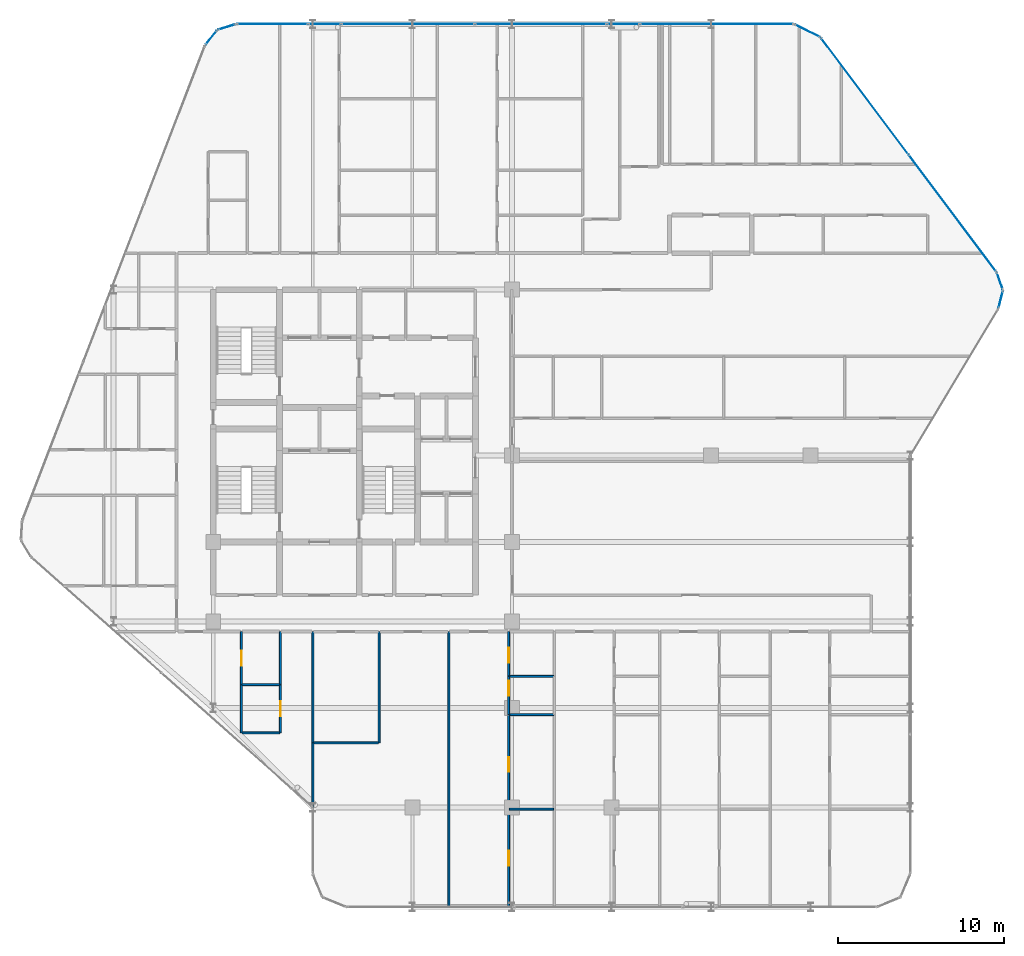
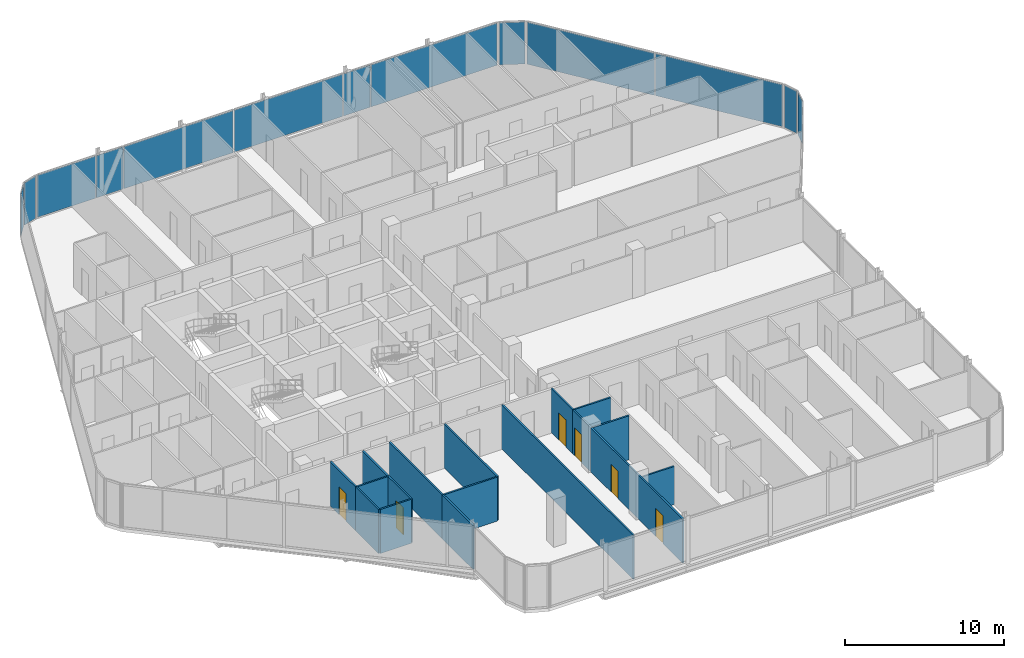
# One storey, part 24 of 32: 17 walls, 13 plates, 6 doors, 6 openings, 11 elements without a shape of their own.
"""IFC4 building model written with IfcOpenShell, lengths in metres."""

from ifc_helpers import new_model, si_unit, direction, frame, frame_2d, origin, origin_2d, place, context, subcontext, project, spatial, rectangle, extrude, material, layer, layer_set, type_object, element, fill, aggregate, save


model = new_model("IFC4")

# Units and contexts
model_context = context("Model", 3, precision=1e-05, world=origin(), true_north=direction((0.0, 1.0)))
body_context = subcontext(model_context, "Body", "Model", "MODEL_VIEW")
ifc_project = project(units=[si_unit("LENGTHUNIT", "METRE"), si_unit("AREAUNIT", "SQUARE_METRE"), si_unit("VOLUMEUNIT", "CUBIC_METRE"), si_unit("PLANEANGLEUNIT", "RADIAN"), si_unit("MASSUNIT", "GRAM", prefix="KILO")], contexts=[model_context])

# Site, building, storey
site_placement = place(None, origin())
site = spatial("IfcSite", under=ifc_project, at=site_placement, CompositionType="ELEMENT")
building_placement = place(site_placement, origin())
building = spatial("IfcBuilding", under=site, at=building_placement, Name="Keshet Zoharim Tower", CompositionType="ELEMENT")
storey_placement = place(building_placement, frame((0.0, 0.0, 152.0)))
storey = spatial("IfcBuildingStorey", under=building, at=storey_placement, Name="L37", CompositionType="ELEMENT", Elevation=152.0)

# Curtain wall, plate
ifc_material_1 = material(Name="Aluminium 6063-T6", Category="aluminium")
ifc_layer_1 = layer(ifc_material_1, 0.159912109375)
ifc_layer_set_1 = layer_set([ifc_layer_1], Name="Aluminium 6063-T6")
curtain_wall_type = type_object("IfcCurtainWallType", Name="CW-SYS-03", PredefinedType="NOTDEFINED", material=ifc_layer_set_1)
curtain_wall_1_placement = place(storey_placement, origin())
curtain_wall_1 = element("IfcCurtainWall", 1, at=curtain_wall_1_placement, inside=storey, type_object=curtain_wall_type, Name="L37 Unitised Curtain Wall 11", PredefinedType="NOTDEFINED")
ifc_material_2 = material(Name="Insulated Low-E Clear Glass", Category="glass")
ifc_layer_2 = layer(ifc_material_2, 0.035888671875)
ifc_layer_set_2 = layer_set([ifc_layer_2], Name="Insulated Low-E Clear Glass")
plate_type_1 = type_object("IfcPlateType", Name="CWP-01", PredefinedType="CURTAIN_PANEL", material=ifc_layer_set_2)
plate_1_placement = place(storey_placement, frame((14.8740234375, 53.08349609375, 0.06982421875), z_axis=(0.0, 0.0, 1.0), x_axis=(0.619124525989, 0.785292825205, 0.0)))
plate_1 = element("IfcPlate", 2, at=plate_1_placement, type_object=plate_type_1, Name="CW-03 panel 1.1", PredefinedType="CURTAIN_PANEL", context=body_context, shape_type="SweptSolid", body=[
    extrude(rectangle(XDim=1.045654296875, YDim=0.035888671875, at=origin_2d()), origin(), (0.0, 0.0, 1.0), 3.2451171875),
])
aggregate(curtain_wall_1, [plate_1])

curtain_wall_2_placement = place(storey_placement, origin())
curtain_wall_2 = element("IfcCurtainWall", 3, at=curtain_wall_2_placement, inside=storey, type_object=curtain_wall_type, Name="L37 Unitised Curtain Wall 12", PredefinedType="NOTDEFINED")
plate_2_placement = place(storey_placement, frame((15.8076171875, 53.724609375, 0.06982421875), z_axis=(0.0, 0.0, 1.0), x_axis=(0.955212151288, 0.295921857984, 0.0)))
plate_2 = element("IfcPlate", 4, at=plate_2_placement, type_object=plate_type_1, Name="CW-03 panel 1.1", PredefinedType="CURTAIN_PANEL", context=body_context, shape_type="SweptSolid", body=[
    extrude(rectangle(XDim=1.046142578125, YDim=0.035888671875, at=origin_2d()), origin(), (0.0, 0.0, 1.0), 3.2451171875),
])
aggregate(curtain_wall_2, [plate_2])

curtain_wall_3_placement = place(storey_placement, origin())
curtain_wall_3 = element("IfcCurtainWall", 5, at=curtain_wall_3_placement, inside=storey, type_object=curtain_wall_type, Name="L37 Unitised Curtain Wall 13", PredefinedType="NOTDEFINED")
ifc_layer_3 = layer(ifc_material_2, 0.031982421875)
ifc_layer_set_3 = layer_set([ifc_layer_3], Name="Insulated Low-E Clear Glass")
plate_type_2 = type_object("IfcPlateType", Name="CWP-02", PredefinedType="CURTAIN_PANEL", material=ifc_layer_set_3)
plate_3_placement = place(storey_placement, frame((18.56298828125, 53.89990234375, 0.06982421875), z_axis=(0.0, 0.0, 1.0), x_axis=(1.0, 0.0, 0.0)))
plate_3 = element("IfcPlate", 6, at=plate_3_placement, type_object=plate_type_2, Name="CW-03 panel 1.1", PredefinedType="CURTAIN_PANEL", context=body_context, shape_type="SweptSolid", body=[
    extrude(rectangle(XDim=4.23779296875, YDim=0.031982421875, at=origin_2d()), origin(), (0.0, 0.0, 1.0), 3.2451171875),
])
aggregate(curtain_wall_3, [plate_3])

# Curtain wall, plates
curtain_wall_4_placement = place(storey_placement, origin())
curtain_wall_4 = element("IfcCurtainWall", 7, at=curtain_wall_4_placement, inside=storey, type_object=curtain_wall_type, Name="L37 Unitised Curtain Wall 13 Part 3", PredefinedType="NOTDEFINED")
plate_4_placement = place(storey_placement, frame((26.7314453125, 53.89990234375, 0.06982421875), z_axis=(0.0, 0.0, 1.0), x_axis=(1.0, 0.0, 0.0)))
plate_4 = element("IfcPlate", 8, at=plate_4_placement, type_object=plate_type_2, Name="CW-03 panel 1.1", PredefinedType="CURTAIN_PANEL", context=body_context, shape_type="SweptSolid", body=[
    extrude(rectangle(XDim=7.966796875, YDim=0.031982421875, at=origin_2d()), origin(), (0.0, 0.0, 1.0), 3.2451171875),
])
plate_5_placement = place(storey_placement, frame((34.7333984375, 53.89990234375, 0.06982421875), z_axis=(0.0, 0.0, 1.0), x_axis=(1.0, 0.0, 0.0)))
plate_5 = element("IfcPlate", 9, at=plate_5_placement, type_object=plate_type_2, Name="CW-03 panel 2.1", PredefinedType="CURTAIN_PANEL", context=body_context, shape_type="SweptSolid", body=[
    extrude(rectangle(XDim=7.89697265625, YDim=0.031982421875, at=origin_2d()), origin(), (0.0, 0.0, 1.0), 3.2451171875),
])
aggregate(curtain_wall_4, [plate_4, plate_5])

# Curtain wall, plate
curtain_wall_5_placement = place(storey_placement, origin())
curtain_wall_5 = element("IfcCurtainWall", 10, at=curtain_wall_5_placement, inside=storey, type_object=curtain_wall_type, Name="L37 Unitised Curtain Wall 13 Part 5", PredefinedType="NOTDEFINED")
plate_6_placement = place(storey_placement, frame((45.339111328125, 53.89990234375, 0.06982421875), z_axis=(0.0, 0.0, 1.0), x_axis=(1.0, 0.0, 0.0)))
plate_6 = element("IfcPlate", 11, at=plate_6_placement, type_object=plate_type_2, Name="CW-03 panel 1.1", PredefinedType="CURTAIN_PANEL", context=body_context, shape_type="SweptSolid", body=[
    extrude(rectangle(XDim=9.181884765625, YDim=0.031982421875, at=origin_2d()), origin(), (0.0, 0.0, 1.0), 3.2451171875),
])
aggregate(curtain_wall_5, [plate_6])

curtain_wall_6_placement = place(storey_placement, origin())
curtain_wall_6 = element("IfcCurtainWall", 12, at=curtain_wall_6_placement, inside=storey, type_object=curtain_wall_type, Name="L37 Unitised Curtain Wall 14", PredefinedType="NOTDEFINED")
plate_7_placement = place(storey_placement, frame((50.800048828125, 53.5, 0.06982421875), z_axis=(0.0, 0.0, 1.0), x_axis=(0.894427191001, -0.447213595499, 0.0)))
plate_7 = element("IfcPlate", 13, at=plate_7_placement, type_object=plate_type_2, Name="CW-03 panel 1.1", PredefinedType="CURTAIN_PANEL", context=body_context, shape_type="SweptSolid", body=[
    extrude(rectangle(XDim=1.64892578125, YDim=0.031982421875, at=origin_2d()), origin(), (0.0, 0.0, 1.0), 3.2451171875),
])
aggregate(curtain_wall_6, [plate_7])

# Curtain wall, plates
curtain_wall_7_placement = place(storey_placement, origin())
curtain_wall_7 = element("IfcCurtainWall", 14, at=curtain_wall_7_placement, inside=storey, type_object=curtain_wall_type, Name="L37 Unitised Curtain Wall 15", PredefinedType="NOTDEFINED")
plate_8_placement = place(storey_placement, frame((54.2587890625, 49.554931640625, 0.06982421875), z_axis=(0.0, 0.0, 1.0), x_axis=(0.600000000002, -0.799999999998, 0.0)))
plate_8 = element("IfcPlate", 15, at=plate_8_placement, type_object=plate_type_2, Name="CW-03 panel 1.1", PredefinedType="CURTAIN_PANEL", context=body_context, shape_type="SweptSolid", body=[
    extrude(rectangle(XDim=8.722412109375, YDim=0.031982421875, at=origin_2d()), origin(), (0.0, 0.0, 1.0), 3.2451171875),
])
plate_9_placement = place(storey_placement, frame((59.5341796875, 42.52099609375, 0.06982421875), z_axis=(0.0, 0.0, 1.0), x_axis=(0.600000000002, -0.799999999998, 0.0)))
plate_9 = element("IfcPlate", 16, at=plate_9_placement, type_object=plate_type_2, Name="CW-03 panel 2.1", PredefinedType="CURTAIN_PANEL", context=body_context, shape_type="SweptSolid", body=[
    extrude(rectangle(XDim=8.722412109375, YDim=0.031982421875, at=origin_2d()), origin(), (0.0, 0.0, 1.0), 3.2451171875),
])
aggregate(curtain_wall_7, [plate_8, plate_9])

# Curtain wall, plate
curtain_wall_8_placement = place(storey_placement, origin())
curtain_wall_8 = element("IfcCurtainWall", 17, at=curtain_wall_8_placement, inside=storey, type_object=curtain_wall_type, Name="L37 Unitised Curtain Wall 16", PredefinedType="NOTDEFINED")
plate_10_placement = place(storey_placement, frame((62.3916015625, 38.427490234375, 0.06982421875), z_axis=(0.0, 0.0, 1.0), x_axis=(0.340297354046, -0.940317877544, 0.0)))
plate_10 = element("IfcPlate", 18, at=plate_10_placement, type_object=plate_type_2, Name="CW-03 panel 1.1", PredefinedType="CURTAIN_PANEL", context=body_context, shape_type="SweptSolid", body=[
    extrude(rectangle(XDim=1.026611328125, YDim=0.031982421875, at=origin_2d()), origin(), (0.0, 0.0, 1.0), 3.2451171875),
])
aggregate(curtain_wall_8, [plate_10])

curtain_wall_9_placement = place(storey_placement, origin())
curtain_wall_9 = element("IfcCurtainWall", 19, at=curtain_wall_9_placement, inside=storey, type_object=curtain_wall_type, Name="L37 Unitised Curtain Wall 17", PredefinedType="NOTDEFINED")
plate_11_placement = place(storey_placement, frame((62.448974609375, 37.31298828125, 0.06982421875), z_axis=(0.0, 0.0, 1.0), x_axis=(-0.241728770141, -0.970343857447, 0.0)))
plate_11 = element("IfcPlate", 20, at=plate_11_placement, type_object=plate_type_2, Name="CW-03 panel 1.1", PredefinedType="CURTAIN_PANEL", context=body_context, shape_type="SweptSolid", body=[
    extrude(rectangle(XDim=1.026611328125, YDim=0.031982421875, at=origin_2d()), origin(), (0.0, 0.0, 1.0), 3.2451171875),
])
aggregate(curtain_wall_9, [plate_11])

curtain_wall_10_placement = place(storey_placement, origin())
curtain_wall_10 = element("IfcCurtainWall", 21, at=curtain_wall_10_placement, inside=storey, type_object=curtain_wall_type, Name="L37 Unitised Curtain Wall 13 Part 2", PredefinedType="NOTDEFINED")
ifc_material_3 = material(Name="Insulated Aluminium Spandrel Panel", Category="aluminium")
ifc_layer_4 = layer(ifc_material_3, 0.031982421875)
ifc_layer_set_4 = layer_set([ifc_layer_4], Name="Insulated Aluminium Spandrel Panel")
plate_type_3 = type_object("IfcPlateType", Name="CWP-05", PredefinedType="CURTAIN_PANEL", material=ifc_layer_set_4)
plate_12_placement = place(storey_placement, frame((21.715087890625, 53.89990234375, 0.06982421875), z_axis=(0.0, 0.0, 1.0), x_axis=(1.0, 0.0, 0.0)))
plate_12 = element("IfcPlate", 22, at=plate_12_placement, type_object=plate_type_3, Name="CW-03 spandrel panel 1.1", PredefinedType="CURTAIN_PANEL", context=body_context, shape_type="SweptSolid", body=[
    extrude(rectangle(XDim=1.92626953125, YDim=0.031982421875, at=origin_2d()), origin(), (0.0, 0.0, 1.0), 3.2451171875),
])
aggregate(curtain_wall_10, [plate_12])

curtain_wall_11_placement = place(storey_placement, origin())
curtain_wall_11 = element("IfcCurtainWall", 23, at=curtain_wall_11_placement, inside=storey, type_object=curtain_wall_type, Name="L37 Unitised Curtain Wall 13 Part 4", PredefinedType="NOTDEFINED")
plate_13_placement = place(storey_placement, frame((39.715087890625, 53.89990234375, 0.06982421875), z_axis=(0.0, 0.0, 1.0), x_axis=(1.0, 0.0, 0.0)))
plate_13 = element("IfcPlate", 24, at=plate_13_placement, type_object=plate_type_3, Name="CW-03 spandrel panel 1.1", PredefinedType="CURTAIN_PANEL", context=body_context, shape_type="SweptSolid", body=[
    extrude(rectangle(XDim=1.92626953125, YDim=0.031982421875, at=origin_2d()), origin(), (0.0, 0.0, 1.0), 3.2451171875),
])
aggregate(curtain_wall_11, [plate_13])

# Wall, opening, door
ifc_material_4 = material(Name="Gypsum Plasterboard", Category="gypsum")
ifc_layer_5 = layer(ifc_material_4, 0.1201171875)
ifc_layer_set_5 = layer_set([ifc_layer_5], Name="Gypsum Plasterboard")
wall_type_1 = type_object("IfcWallType", Name="WL-PART-120", PredefinedType="PARTITIONING", material=ifc_layer_set_5)
wall_1_placement = place(storey_placement, frame((16.699951171875, 14.10009765625, 0.0), z_axis=(0.0, 0.0, 1.0), x_axis=(0.0, 1.0, 0.0)))
wall_1 = element("IfcWall", 25, at=wall_1_placement, inside=storey, type_object=wall_type_1, Name="L37 Interior Wall 020", PredefinedType="PARTITIONING", context=body_context, shape_type="SweptSolid", body=[
    extrude(rectangle(XDim=3.199951171875, YDim=0.1201171875, at=frame_2d((1.60009765625, 0.0))), origin(), (0.0, 0.0, 1.0), 3.385009765625),
])
opening_1_placement = place(wall_1_placement, frame((1.14990234375, 0.0, 0.0)))
opening_1 = element("IfcOpeningElement", 26, at=opening_1_placement, cuts=wall_1, Name="Opening D-IN90", PredefinedType="OPENING", context=body_context, shape_type="SweptSolid", body=[
    extrude(rectangle(XDim=0.89990234375, YDim=2.14990234375, at=frame_2d((0.449951171875, 1.074951171875))), frame((0.0, 0.070068359375, 0.0), z_axis=(0.0, -1.0, 0.0), x_axis=(1.0, 0.0, 0.0)), (0.0, 0.0, 1.0), 0.14013671875),
])
ifc_material_5 = material(Name="Hardwood Timber", Category="wood")
door_type_1 = type_object("IfcDoorType", Name="DR-INT-090", OperationType="NOTDEFINED", PredefinedType="DOOR", material=ifc_material_5)
door_1_placement = place(opening_1_placement, origin())
door_1 = element("IfcDoor", 27, at=door_1_placement, inside=storey, type_object=door_type_1, Name="Apartment 3701 Kitchenette Door", OperationType="SINGLE_SWING_LEFT", OverallHeight=2.14990234375, OverallWidth=0.89990234375, PredefinedType="DOOR", context=body_context, shape_type="SweptSolid", body=[
    extrude(rectangle(XDim=0.89990234375, YDim=2.14990234375, at=frame_2d((0.449951171875, 1.074951171875))), frame((0.0, 0.02490234375, 0.0), z_axis=(0.0, -1.0, 0.0), x_axis=(1.0, 0.0, 0.0)), (0.0, 0.0, 1.0), 0.050048828125),
])
fill(opening_1, door_1)

# Walls
wall_2_placement = place(storey_placement, frame((19.050048828125, 14.10009765625, 0.0), z_axis=(0.0, 0.0, 1.0), x_axis=(0.0, 1.0, 0.0)))
element("IfcWall", 28, at=wall_2_placement, inside=storey, type_object=wall_type_1, Name="L37 Interior Wall 030", PredefinedType="PARTITIONING", context=body_context, shape_type="SweptSolid", body=[
    extrude(rectangle(XDim=3.199951171875, YDim=0.1201171875, at=frame_2d((1.60009765625, 0.0))), origin(), (0.0, 0.0, 1.0), 3.385009765625),
])
wall_3_placement = place(storey_placement, frame((21.0, 6.7099609375, 0.0), z_axis=(0.0, 0.0, 1.0), x_axis=(0.0, 1.0, 0.0)))
element("IfcWall", 29, at=wall_3_placement, inside=storey, type_object=wall_type_1, Name="L37 Interior Wall 031", PredefinedType="PARTITIONING", context=body_context, shape_type="SweptSolid", body=[
    extrude(rectangle(XDim=3.89013671875, YDim=0.1201171875, at=frame_2d((1.945068359375, 0.0))), origin(), (0.0, 0.0, 1.0), 3.385009765625),
])
for number, where, z_axis, x_axis, name in (
    (30, (21.0, 10.60009765625, 0.0), (0.0, 0.0, 1.0), (0.0, 1.0, 0.0), "L37 Interior Wall 032"),
    (31, (25.0, 10.60009765625, 0.0), (0.0, 0.0, 1.0), (0.0, 1.0, 0.0), "L37 Interior Wall 045"),
):
    element("IfcWall", number, at=place(storey_placement, frame(where, z_axis=z_axis, x_axis=x_axis)), inside=storey, type_object=wall_type_1, Name=name, PredefinedType="PARTITIONING", context=body_context, shape_type="SweptSolid", body=[
        extrude(rectangle(XDim=6.699951171875, YDim=0.1201171875, at=frame_2d((3.35009765625, 0.0))), origin(), (0.0, 0.0, 1.0), 3.385009765625),
    ])
wall_4_placement = place(storey_placement, frame((29.199951171875, 0.7099609375, 0.0), z_axis=(0.0, 0.0, 1.0), x_axis=(0.0, 1.0, 0.0)))
element("IfcWall", 32, at=wall_4_placement, inside=storey, type_object=wall_type_1, Name="L37 Interior Wall 057", PredefinedType="PARTITIONING", context=body_context, shape_type="SweptSolid", body=[
    extrude(rectangle(XDim=16.590087890625, YDim=0.1201171875, at=frame_2d((8.294921875, 0.0))), origin(), (0.0, 0.0, 1.0), 3.385009765625),
])

# Wall, openings, doors
wall_5_placement = place(storey_placement, frame((32.800048828125, 0.7099609375, 0.0), z_axis=(0.0, 0.0, 1.0), x_axis=(0.0, 1.0, 0.0)))
wall_5 = element("IfcWall", 33, at=wall_5_placement, inside=storey, type_object=wall_type_1, Name="L37 Interior Wall 067", PredefinedType="PARTITIONING", context=body_context, shape_type="SweptSolid", body=[
    extrude(rectangle(XDim=11.590087890625, YDim=0.1201171875, at=frame_2d((5.794921875, 0.0))), origin(), (0.0, 0.0, 1.0), 3.385009765625),
])
opening_2_placement = place(wall_5_placement, frame((2.489990234375, 0.0, 0.0)))
opening_2 = element("IfcOpeningElement", 34, at=opening_2_placement, cuts=wall_5, Name="Opening D-IN90", PredefinedType="OPENING", context=body_context, shape_type="SweptSolid", body=[
    extrude(rectangle(XDim=0.89990234375, YDim=2.14990234375, at=frame_2d((0.449951171875, 1.074951171875))), frame((0.0, 0.070068359375, 0.0), z_axis=(0.0, -1.0, 0.0), x_axis=(1.0, 0.0, 0.0)), (0.0, 0.0, 1.0), 0.14013671875),
])
opening_3_placement = place(wall_5_placement, frame((8.133056640625, 0.0, 0.0)))
opening_3 = element("IfcOpeningElement", 35, at=opening_3_placement, cuts=wall_5, Name="Opening D-IN90", PredefinedType="OPENING", context=body_context, shape_type="SweptSolid", body=[
    extrude(rectangle(XDim=0.89990234375, YDim=2.14990234375, at=frame_2d((0.449951171875, 1.074951171875))), frame((0.0, 0.070068359375, 0.0), z_axis=(0.0, -1.0, 0.0), x_axis=(1.0, 0.0, 0.0)), (0.0, 0.0, 1.0), 0.14013671875),
])
door_2_placement = place(opening_2_placement, origin())
door_2 = element("IfcDoor", 36, at=door_2_placement, inside=storey, type_object=door_type_1, Name="Apartment 3702 Bedroom 1 Door", OperationType="SINGLE_SWING_LEFT", OverallHeight=2.14990234375, OverallWidth=0.89990234375, PredefinedType="DOOR", context=body_context, shape_type="SweptSolid", body=[
    extrude(rectangle(XDim=0.89990234375, YDim=2.14990234375, at=frame_2d((0.449951171875, 1.074951171875))), frame((0.0, 0.02490234375, 0.0), z_axis=(0.0, -1.0, 0.0), x_axis=(1.0, 0.0, 0.0)), (0.0, 0.0, 1.0), 0.050048828125),
])
fill(opening_2, door_2)
door_3_placement = place(opening_3_placement, origin())
door_3 = element("IfcDoor", 37, at=door_3_placement, inside=storey, type_object=door_type_1, Name="Apartment 3702 Bedroom 2 Door", OperationType="SINGLE_SWING_RIGHT", OverallHeight=2.14990234375, OverallWidth=0.89990234375, PredefinedType="DOOR", context=body_context, shape_type="SweptSolid", body=[
    extrude(rectangle(XDim=0.89990234375, YDim=2.14990234375, at=frame_2d((0.449951171875, 1.074951171875))), frame((0.0, 0.02490234375, 0.0), z_axis=(0.0, -1.0, 0.0), x_axis=(1.0, 0.0, 0.0)), (0.0, 0.0, 1.0), 0.050048828125),
])
fill(opening_3, door_3)

# Wall, opening, door
wall_6_placement = place(storey_placement, frame((32.800048828125, 12.300048828125, 0.0), z_axis=(0.0, 0.0, 1.0), x_axis=(0.0, 1.0, 0.0)))
wall_6 = element("IfcWall", 38, at=wall_6_placement, inside=storey, type_object=wall_type_1, Name="L37 Interior Wall 068", PredefinedType="PARTITIONING", context=body_context, shape_type="SweptSolid", body=[
    extrude(rectangle(XDim=2.300048828125, YDim=0.1201171875, at=frame_2d((1.14990234375, 0.0))), origin(), (0.0, 0.0, 1.0), 3.385009765625),
])
opening_4_placement = place(wall_6_placement, frame((1.14208984375, 0.0, 0.0)))
opening_4 = element("IfcOpeningElement", 39, at=opening_4_placement, cuts=wall_6, Name="Opening D-IN90", PredefinedType="OPENING", context=body_context, shape_type="SweptSolid", body=[
    extrude(rectangle(XDim=0.89990234375, YDim=2.14990234375, at=frame_2d((0.449951171875, 1.074951171875))), frame((0.0, 0.070068359375, 0.0), z_axis=(0.0, -1.0, 0.0), x_axis=(1.0, 0.0, 0.0)), (0.0, 0.0, 1.0), 0.14013671875),
])
door_4_placement = place(opening_4_placement, origin())
door_4 = element("IfcDoor", 40, at=door_4_placement, inside=storey, type_object=door_type_1, Name="Apartment 3702 Kitchen Door", OperationType="SINGLE_SWING_LEFT", OverallHeight=2.14990234375, OverallWidth=0.89990234375, PredefinedType="DOOR", context=body_context, shape_type="SweptSolid", body=[
    extrude(rectangle(XDim=0.89990234375, YDim=2.14990234375, at=frame_2d((0.449951171875, 1.074951171875))), frame((0.0, 0.02490234375, 0.0), z_axis=(0.0, -1.0, 0.0), x_axis=(1.0, 0.0, 0.0)), (0.0, 0.0, 1.0), 0.050048828125),
])
fill(opening_4, door_4)

# Walls
wall_7_placement = place(storey_placement, frame((32.844970703125, 6.60009765625, 0.0), z_axis=(0.0, 0.0, 1.0), x_axis=(1.0, 0.0, 0.0)))
element("IfcWall", 41, at=wall_7_placement, inside=storey, type_object=wall_type_1, Name="L37 Interior Wall 114", PredefinedType="PARTITIONING", context=body_context, shape_type="SweptSolid", body=[
    extrude(rectangle(XDim=2.669921875, YDim=0.1201171875, at=frame_2d((1.3349609375, 0.0))), origin(), (0.0, 0.0, 1.0), 2.93505859375),
])
wall_8_placement = place(storey_placement, frame((21.044921875, 10.60009765625, 0.0), z_axis=(0.0, 0.0, 1.0), x_axis=(1.0, 0.0, 0.0)))
element("IfcWall", 42, at=wall_8_placement, inside=storey, type_object=wall_type_1, Name="L37 Interior Wall 118", PredefinedType="PARTITIONING", context=body_context, shape_type="SweptSolid", body=[
    extrude(rectangle(XDim=3.91015625, YDim=0.1201171875, at=frame_2d((1.955078125, 0.0))), origin(), (0.0, 0.0, 1.0), 3.385009765625),
])
wall_9_placement = place(storey_placement, frame((32.844970703125, 12.300048828125, 0.0), z_axis=(0.0, 0.0, 1.0), x_axis=(1.0, 0.0, 0.0)))
element("IfcWall", 43, at=wall_9_placement, inside=storey, type_object=wall_type_1, Name="L37 Interior Wall 120", PredefinedType="PARTITIONING", context=body_context, shape_type="SweptSolid", body=[
    extrude(rectangle(XDim=2.669921875, YDim=0.1201171875, at=frame_2d((1.3349609375, 0.0))), origin(), (0.0, 0.0, 1.0), 3.385009765625),
])
ifc_layer_6 = layer(ifc_material_4, 0.1201171875)
ifc_layer_set_6 = layer_set([ifc_layer_6], Name="Gypsum Plasterboard")
wall_type_2 = type_object("IfcWallType", Name="WL-WET-120", PredefinedType="PARTITIONING", material=ifc_layer_set_6)
wall_10_placement = place(storey_placement, frame((16.699951171875, 11.199951171875, 0.0), z_axis=(0.0, 0.0, 1.0), x_axis=(0.0, 1.0, 0.0)))
element("IfcWall", 44, at=wall_10_placement, inside=storey, type_object=wall_type_2, Name="L37 Interior Wall 019", PredefinedType="PARTITIONING", context=body_context, shape_type="SweptSolid", body=[
    extrude(rectangle(XDim=2.900146484375, YDim=0.1201171875, at=frame_2d((1.4501953125, 0.0))), origin(), (0.0, 0.0, 1.0), 3.385009765625),
])

# Wall, opening, door
wall_11_placement = place(storey_placement, frame((19.050048828125, 11.199951171875, 0.0), z_axis=(0.0, 0.0, 1.0), x_axis=(0.0, 1.0, 0.0)))
wall_11 = element("IfcWall", 45, at=wall_11_placement, inside=storey, type_object=wall_type_2, Name="L37 Interior Wall 029", PredefinedType="PARTITIONING", context=body_context, shape_type="SweptSolid", body=[
    extrude(rectangle(XDim=2.900146484375, YDim=0.1201171875, at=frame_2d((1.4501953125, 0.0))), origin(), (0.0, 0.0, 1.0), 3.385009765625),
])
opening_5_placement = place(wall_11_placement, frame((1.0, 0.0, 0.0)))
opening_5 = element("IfcOpeningElement", 46, at=opening_5_placement, cuts=wall_11, Name="Opening D-WT90", PredefinedType="OPENING", context=body_context, shape_type="SweptSolid", body=[
    extrude(rectangle(XDim=0.89990234375, YDim=2.10009765625, at=frame_2d((0.449951171875, 1.050048828125))), frame((0.0, 0.070068359375, 0.0), z_axis=(0.0, -1.0, 0.0), x_axis=(1.0, 0.0, 0.0)), (0.0, 0.0, 1.0), 0.14013671875),
])
door_type_2 = type_object("IfcDoorType", Name="DR-WET-090", OperationType="NOTDEFINED", PredefinedType="DOOR", material=ifc_material_5)
door_5_placement = place(opening_5_placement, origin())
door_5 = element("IfcDoor", 47, at=door_5_placement, inside=storey, type_object=door_type_2, Name="Apartment 3701 Bathroom Door", OperationType="SINGLE_SWING_RIGHT", OverallHeight=2.10009765625, OverallWidth=0.89990234375, PredefinedType="DOOR", context=body_context, shape_type="SweptSolid", body=[
    extrude(rectangle(XDim=0.89990234375, YDim=2.10009765625, at=frame_2d((0.449951171875, 1.050048828125))), frame((0.0, 0.02490234375, 0.0), z_axis=(0.0, -1.0, 0.0), x_axis=(1.0, 0.0, 0.0)), (0.0, 0.0, 1.0), 0.050048828125),
])
fill(opening_5, door_5)

wall_12_placement = place(storey_placement, frame((32.800048828125, 14.60009765625, 0.0), z_axis=(0.0, 0.0, 1.0), x_axis=(0.0, 1.0, 0.0)))
wall_12 = element("IfcWall", 48, at=wall_12_placement, inside=storey, type_object=wall_type_2, Name="L37 Interior Wall 069", PredefinedType="PARTITIONING", context=body_context, shape_type="SweptSolid", body=[
    extrude(rectangle(XDim=2.699951171875, YDim=0.1201171875, at=frame_2d((1.35009765625, 0.0))), origin(), (0.0, 0.0, 1.0), 3.385009765625),
])
opening_6_placement = place(wall_12_placement, frame((0.827880859375, 0.0, 0.0)))
opening_6 = element("IfcOpeningElement", 49, at=opening_6_placement, cuts=wall_12, Name="Opening D-WT90", PredefinedType="OPENING", context=body_context, shape_type="SweptSolid", body=[
    extrude(rectangle(XDim=0.89990234375, YDim=2.10009765625, at=frame_2d((0.449951171875, 1.050048828125))), frame((0.0, 0.070068359375, 0.0), z_axis=(0.0, -1.0, 0.0), x_axis=(1.0, 0.0, 0.0)), (0.0, 0.0, 1.0), 0.14013671875),
])
door_6_placement = place(opening_6_placement, origin())
door_6 = element("IfcDoor", 50, at=door_6_placement, inside=storey, type_object=door_type_2, Name="Apartment 3702 Bathroom Door", OperationType="SINGLE_SWING_RIGHT", OverallHeight=2.10009765625, OverallWidth=0.89990234375, PredefinedType="DOOR", context=body_context, shape_type="SweptSolid", body=[
    extrude(rectangle(XDim=0.89990234375, YDim=2.10009765625, at=frame_2d((0.449951171875, 1.050048828125))), frame((0.0, 0.02490234375, 0.0), z_axis=(0.0, -1.0, 0.0), x_axis=(1.0, 0.0, 0.0)), (0.0, 0.0, 1.0), 0.050048828125),
])
fill(opening_6, door_6)

# Walls
for number, where, z_axis, x_axis, name in (
    (51, (16.7451171875, 11.199951171875, 0.0), (0.0, 0.0, 1.0), (1.0, 0.0, 0.0), "L37 Interior Wall 119"),
    (52, (16.7451171875, 14.10009765625, 0.0), (0.0, 0.0, 1.0), (1.0, 0.0, 0.0), "L37 Interior Wall 124"),
):
    element("IfcWall", number, at=place(storey_placement, frame(where, z_axis=z_axis, x_axis=x_axis)), inside=storey, type_object=wall_type_2, Name=name, PredefinedType="PARTITIONING", context=body_context, shape_type="SweptSolid", body=[
        extrude(rectangle(XDim=2.259765625, YDim=0.1201171875, at=frame_2d((1.1298828125, 0.0))), origin(), (0.0, 0.0, 1.0), 3.385009765625),
    ])
wall_13_placement = place(storey_placement, frame((32.844970703125, 14.60009765625, 0.0), z_axis=(0.0, 0.0, 1.0), x_axis=(1.0, 0.0, 0.0)))
element("IfcWall", 53, at=wall_13_placement, inside=storey, type_object=wall_type_2, Name="L37 Interior Wall 125", PredefinedType="PARTITIONING", context=body_context, shape_type="SweptSolid", body=[
    extrude(rectangle(XDim=2.669921875, YDim=0.1201171875, at=frame_2d((1.3349609375, 0.0))), origin(), (0.0, 0.0, 1.0), 3.385009765625),
])

save(model, "model.ifc")
